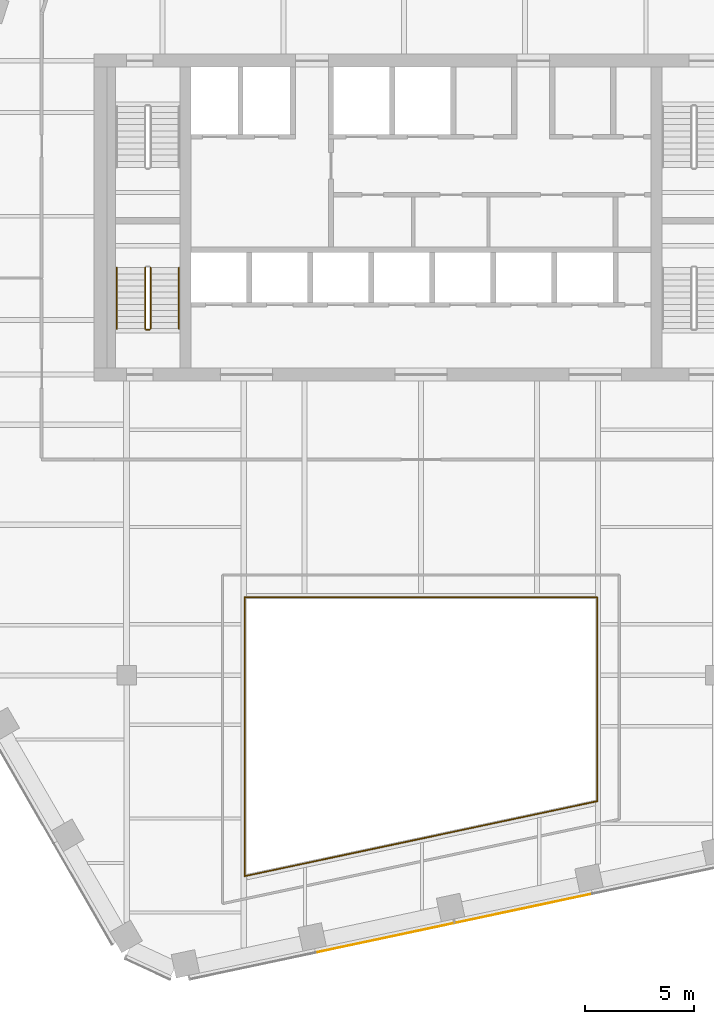
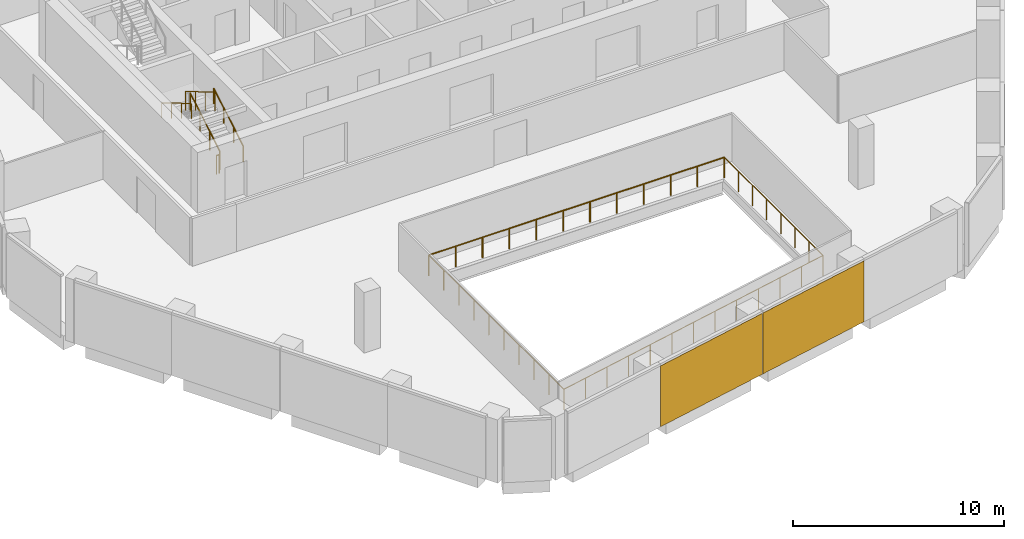
# One storey, part 12 of 15: 9 railings, 2 coverings, 1 element without a shape of its own.
"""IFC4 building model written with IfcOpenShell, lengths in metres."""

from ifc_helpers import new_model, si_unit, direction, frame, origin, origin_2d, place, context, subcontext, project, spatial, rectangle, circle, extrude, material, layer, layer_set, type_object, element, aggregate, save


model = new_model("IFC4")

# Units and contexts
model_context = context("Model", 3, precision=1e-05, world=origin(), true_north=direction((0.0, 1.0)))
body_context = subcontext(model_context, "Body", "Model", "MODEL_VIEW")
ifc_project = project(units=[si_unit("LENGTHUNIT", "METRE"), si_unit("AREAUNIT", "SQUARE_METRE"), si_unit("VOLUMEUNIT", "CUBIC_METRE"), si_unit("PLANEANGLEUNIT", "RADIAN"), si_unit("MASSUNIT", "GRAM", prefix="KILO")], contexts=[model_context])

# Site, building, storey
site_placement = place(None, origin())
site = spatial("IfcSite", under=ifc_project, at=site_placement, CompositionType="ELEMENT")
building_placement = place(site_placement, origin())
building = spatial("IfcBuilding", under=site, at=building_placement, Name="Isthmus Gate Tower", CompositionType="ELEMENT")
storey_placement = place(building_placement, frame((0.0, 0.0, 245.5)))
storey = spatial("IfcBuildingStorey", under=building, at=storey_placement, Name="L62", CompositionType="ELEMENT", Elevation=245.5)

# Railings
ifc_material_1 = material(Name="Laminated toughened glass balustrade with steel rail", Category="steel")
railing_type_1 = type_object("IfcRailingType", Name="ATRIUM GUARD GLASS BALUSTRADE 1200", PredefinedType="GUARDRAIL", material=ifc_material_1)
railing_1_placement = place(storey_placement, frame((-8.080078125, -22.7099609375, 0.0)))
element("IfcRailing", 1, at=railing_1_placement, inside=storey, type_object=railing_type_1, Name="L62 atrium guard", PredefinedType="GUARDRAIL", context=body_context, shape_type="SweptSolid", body=[
    extrude(circle(Radius=0.02490234375, at=origin_2d()), frame((0.0, 0.0, 1.1748046875), z_axis=(0.0, 1.0, 0.0), x_axis=(-1.0, 0.0, 0.0)), (0.0, 0.0, 1.0), 12.7900390625),
    extrude(circle(Radius=0.02490234375, at=origin_2d()), origin(), (0.0, 0.0, 1.0), 1.14990234375),
    extrude(circle(Radius=0.02490234375, at=origin_2d()), frame((0.0, 1.421142578125, 0.0)), (0.0, 0.0, 1.0), 1.14990234375),
    extrude(circle(Radius=0.02490234375, at=origin_2d()), frame((0.0, 2.84228515625, 0.0)), (0.0, 0.0, 1.0), 1.14990234375),
    extrude(circle(Radius=0.02490234375, at=origin_2d()), frame((0.0, 4.263427734375, 0.0)), (0.0, 0.0, 1.0), 1.14990234375),
    extrude(circle(Radius=0.02490234375, at=origin_2d()), frame((0.0, 5.6845703125, 0.0)), (0.0, 0.0, 1.0), 1.14990234375),
    extrude(circle(Radius=0.02490234375, at=origin_2d()), frame((0.0, 7.10546875, 0.0)), (0.0, 0.0, 1.0), 1.14990234375),
    extrude(circle(Radius=0.02490234375, at=origin_2d()), frame((0.0, 8.526611328125, 0.0)), (0.0, 0.0, 1.0), 1.14990234375),
    extrude(circle(Radius=0.02490234375, at=origin_2d()), frame((0.0, 9.94775390625, 0.0)), (0.0, 0.0, 1.0), 1.14990234375),
    extrude(circle(Radius=0.02490234375, at=origin_2d()), frame((0.0, 11.368896484375, 0.0)), (0.0, 0.0, 1.0), 1.14990234375),
    extrude(circle(Radius=0.02490234375, at=origin_2d()), frame((0.0, 12.7900390625, 0.0)), (0.0, 0.0, 1.0), 1.14990234375),
])
railing_2_placement = place(storey_placement, frame((-8.080078125, -9.919921875, 0.0)))
element("IfcRailing", 2, at=railing_2_placement, inside=storey, type_object=railing_type_1, Name="L62 atrium guard", PredefinedType="GUARDRAIL", context=body_context, shape_type="SweptSolid", body=[
    extrude(circle(Radius=0.02490234375, at=origin_2d()), frame((0.0, 0.0, 1.1748046875), z_axis=(1.0, 0.0, 0.0), x_axis=(0.0, 1.0, 0.0)), (0.0, 0.0, 1.0), 16.16015625),
    extrude(circle(Radius=0.02490234375, at=origin_2d()), origin(), (0.0, 0.0, 1.0), 1.14990234375),
    extrude(circle(Radius=0.02490234375, at=origin_2d()), frame((1.468994140625, 0.0, 0.0)), (0.0, 0.0, 1.0), 1.14990234375),
    extrude(circle(Radius=0.02490234375, at=origin_2d()), frame((2.938232421875, 0.0, 0.0)), (0.0, 0.0, 1.0), 1.14990234375),
    extrude(circle(Radius=0.02490234375, at=origin_2d()), frame((4.4072265625, 0.0, 0.0)), (0.0, 0.0, 1.0), 1.14990234375),
    extrude(circle(Radius=0.02490234375, at=origin_2d()), frame((5.87646484375, 0.0, 0.0)), (0.0, 0.0, 1.0), 1.14990234375),
    extrude(circle(Radius=0.02490234375, at=origin_2d()), frame((7.345458984375, 0.0, 0.0)), (0.0, 0.0, 1.0), 1.14990234375),
    extrude(circle(Radius=0.02490234375, at=origin_2d()), frame((8.814697265625, 0.0, 0.0)), (0.0, 0.0, 1.0), 1.14990234375),
    extrude(circle(Radius=0.02490234375, at=origin_2d()), frame((10.28369140625, 0.0, 0.0)), (0.0, 0.0, 1.0), 1.14990234375),
    extrude(circle(Radius=0.02490234375, at=origin_2d()), frame((11.7529296875, 0.0, 0.0)), (0.0, 0.0, 1.0), 1.14990234375),
    extrude(circle(Radius=0.02490234375, at=origin_2d()), frame((13.221923828125, 0.0, 0.0)), (0.0, 0.0, 1.0), 1.14990234375),
    extrude(circle(Radius=0.02490234375, at=origin_2d()), frame((14.691162109375, 0.0, 0.0)), (0.0, 0.0, 1.0), 1.14990234375),
    extrude(circle(Radius=0.02490234375, at=origin_2d()), frame((16.16015625, 0.0, 0.0)), (0.0, 0.0, 1.0), 1.14990234375),
])
railing_3_placement = place(storey_placement, frame((8.080078125, -9.919921875, 0.0)))
element("IfcRailing", 3, at=railing_3_placement, inside=storey, type_object=railing_type_1, Name="L62 atrium guard", PredefinedType="GUARDRAIL", context=body_context, shape_type="SweptSolid", body=[
    extrude(circle(Radius=0.02490234375, at=origin_2d()), frame((0.0, 0.0, 1.1748046875), z_axis=(0.0, -1.0, 0.0), x_axis=(1.0, 0.0, 0.0)), (0.0, 0.0, 1.0), 9.35498046875),
    extrude(circle(Radius=0.02490234375, at=origin_2d()), origin(), (0.0, 0.0, 1.0), 1.14990234375),
    extrude(circle(Radius=0.02490234375, at=origin_2d()), frame((0.0, -1.33642578125, 0.0)), (0.0, 0.0, 1.0), 1.14990234375),
    extrude(circle(Radius=0.02490234375, at=origin_2d()), frame((0.0, -2.6728515625, 0.0)), (0.0, 0.0, 1.0), 1.14990234375),
    extrude(circle(Radius=0.02490234375, at=origin_2d()), frame((0.0, -4.00927734375, 0.0)), (0.0, 0.0, 1.0), 1.14990234375),
    extrude(circle(Radius=0.02490234375, at=origin_2d()), frame((0.0, -5.345703125, 0.0)), (0.0, 0.0, 1.0), 1.14990234375),
    extrude(circle(Radius=0.02490234375, at=origin_2d()), frame((0.0, -6.68212890625, 0.0)), (0.0, 0.0, 1.0), 1.14990234375),
    extrude(circle(Radius=0.02490234375, at=origin_2d()), frame((0.0, -8.0185546875, 0.0)), (0.0, 0.0, 1.0), 1.14990234375),
    extrude(circle(Radius=0.02490234375, at=origin_2d()), frame((0.0, -9.35498046875, 0.0)), (0.0, 0.0, 1.0), 1.14990234375),
])
railing_4_placement = place(storey_placement, frame((8.080078125, -19.27490234375, 0.0)))
element("IfcRailing", 4, at=railing_4_placement, inside=storey, type_object=railing_type_1, Name="L62 atrium guard", PredefinedType="GUARDRAIL", context=body_context, shape_type="SweptSolid", body=[
    extrude(circle(Radius=0.02490234375, at=origin_2d()), frame((0.0, 0.0, 1.1748046875), z_axis=(-0.978146230105, -0.207918139013, 0.0), x_axis=(0.207918139013, -0.978146230105, 0.0)), (0.0, 0.0, 1.0), 16.521240234375),
    extrude(circle(Radius=0.02490234375, at=origin_2d()), origin(), (0.0, 0.0, 1.0), 1.14990234375),
    extrude(circle(Radius=0.02490234375, at=origin_2d()), frame((-1.3466796875, -0.2861328125, 0.0)), (0.0, 0.0, 1.0), 1.14990234375),
    extrude(circle(Radius=0.02490234375, at=origin_2d()), frame((-2.693359375, -0.572509765625, 0.0)), (0.0, 0.0, 1.0), 1.14990234375),
    extrude(circle(Radius=0.02490234375, at=origin_2d()), frame((-4.0400390625, -0.85888671875, 0.0)), (0.0, 0.0, 1.0), 1.14990234375),
    extrude(circle(Radius=0.02490234375, at=origin_2d()), frame((-5.38671875, -1.14501953125, 0.0)), (0.0, 0.0, 1.0), 1.14990234375),
    extrude(circle(Radius=0.02490234375, at=origin_2d()), frame((-6.7333984375, -1.43115234375, 0.0)), (0.0, 0.0, 1.0), 1.14990234375),
    extrude(circle(Radius=0.02490234375, at=origin_2d()), frame((-8.080078125, -1.717529296875, 0.0)), (0.0, 0.0, 1.0), 1.14990234375),
    extrude(circle(Radius=0.02490234375, at=origin_2d()), frame((-9.4267578125, -2.00390625, 0.0)), (0.0, 0.0, 1.0), 1.14990234375),
    extrude(circle(Radius=0.02490234375, at=origin_2d()), frame((-10.7734375, -2.2900390625, 0.0)), (0.0, 0.0, 1.0), 1.14990234375),
    extrude(circle(Radius=0.02490234375, at=origin_2d()), frame((-12.1201171875, -2.576171875, 0.0)), (0.0, 0.0, 1.0), 1.14990234375),
    extrude(circle(Radius=0.02490234375, at=origin_2d()), frame((-13.466796875, -2.862548828125, 0.0)), (0.0, 0.0, 1.0), 1.14990234375),
    extrude(circle(Radius=0.02490234375, at=origin_2d()), frame((-14.8134765625, -3.14892578125, 0.0)), (0.0, 0.0, 1.0), 1.14990234375),
    extrude(circle(Radius=0.02490234375, at=origin_2d()), frame((-16.16015625, -3.43505859375, 0.0)), (0.0, 0.0, 1.0), 1.14990234375),
])

# Curtain wall, coverings
ifc_material_2 = material(Name="Aluminium, pale champagne anodised", Category="aluminium")
ifc_layer_1 = layer(ifc_material_2, 0.199951171875)
ifc_layer_set_1 = layer_set([ifc_layer_1], Name="CW-1 UNITISED CURTAIN WALL 200 DEEP")
curtain_wall_type = type_object("IfcCurtainWallType", Name="CW-1 UNITISED CURTAIN WALL 200 DEEP", PredefinedType="NOTDEFINED", material=ifc_layer_set_1)
curtain_wall_placement = place(storey_placement, origin())
curtain_wall = element("IfcCurtainWall", 5, at=curtain_wall_placement, inside=storey, type_object=curtain_wall_type, Name="CW-1 S L62", PredefinedType="NOTDEFINED")
ifc_material_3 = material(Name="Aluminium composite panel, pale champagne anodised", Category="aluminium")
ifc_layer_2 = layer(ifc_material_3, 0.031982421875)
ifc_layer_set_2 = layer_set([ifc_layer_2], Name="CW-1 PALE METAL PANEL 32")
covering_type = type_object("IfcCoveringType", Name="CW-1 PALE METAL PANEL 32", PredefinedType="CLADDING", material=ifc_layer_set_2)
covering_1_placement = place(storey_placement, frame((-1.66259765625, -25.54150390625, 0.0), z_axis=(0.0, 0.0, 1.0), x_axis=(0.978147600734, 0.207911690818, 0.0)))
covering_1 = element("IfcCovering", 6, at=covering_1_placement, type_object=covering_type, Name="CW-1 pale metal panel", PredefinedType="CLADDING", context=body_context, shape_type="SweptSolid", body=[
    extrude(rectangle(XDim=6.491943359375, YDim=0.031982421875, at=origin_2d()), origin(), (0.0, 0.0, 1.0), 3.52001953125),
])
covering_2_placement = place(storey_placement, frame((4.716796875, -24.185546875, 0.0), z_axis=(0.0, 0.0, 1.0), x_axis=(0.978147600734, 0.207911690818, 0.0)))
covering_2 = element("IfcCovering", 7, at=covering_2_placement, type_object=covering_type, Name="CW-1 pale metal panel", PredefinedType="CLADDING", context=body_context, shape_type="SweptSolid", body=[
    extrude(rectangle(XDim=6.431884765625, YDim=0.031982421875, at=origin_2d()), origin(), (0.0, 0.0, 1.0), 3.52001953125),
])
aggregate(curtain_wall, [covering_1, covering_2])

# Railings
ifc_material_4 = material(Name="Stainless steel balustrade", Category="steel")
railing_type_2 = type_object("IfcRailingType", Name="STAIR GUARD 1100", PredefinedType="GUARDRAIL", material=ifc_material_4)
railing_5_placement = place(storey_placement, frame((-12.39990234375, 2.39990234375, 0.166015625)))
element("IfcRailing", 8, at=railing_5_placement, inside=storey, type_object=railing_type_2, Name="L62 ST7 stair guard 1", PredefinedType="GUARDRAIL", context=body_context, shape_type="SweptSolid", body=[
    extrude(circle(Radius=0.02392578125, at=origin_2d()), frame((0.0, 0.0, 1.076171875), z_axis=(0.0, 0.860339051648, 0.50972219513), x_axis=(-1.0, 0.0, 0.0)), (0.0, 0.0, 1.0), 3.254638671875),
    extrude(circle(Radius=0.02099609375, at=origin_2d()), origin(), (0.0, 0.0, 1.0), 1.052001953125),
    extrude(circle(Radius=0.02099609375, at=origin_2d()), frame((0.0, 0.933349609375, 0.552978515625)), (0.0, 0.0, 1.0), 1.052001953125),
    extrude(circle(Radius=0.02099609375, at=origin_2d()), frame((0.0, 1.86669921875, 1.10595703125)), (0.0, 0.0, 1.0), 1.052001953125),
    extrude(circle(Radius=0.02099609375, at=origin_2d()), frame((0.0, 2.800048828125, 1.658935546875)), (0.0, 0.0, 1.0), 1.052001953125),
])
railing_6_placement = place(storey_placement, frame((-12.64990234375, 5.199951171875, 1.990966796875)))
element("IfcRailing", 9, at=railing_6_placement, inside=storey, type_object=railing_type_2, Name="L62 ST7 stair guard 3", PredefinedType="GUARDRAIL", context=body_context, shape_type="SweptSolid", body=[
    extrude(circle(Radius=0.02392578125, at=origin_2d()), frame((0.0, 0.0, 1.076171875), z_axis=(0.0, -0.860339051648, 0.50972219513), x_axis=(1.0, 0.0, 0.0)), (0.0, 0.0, 1.0), 3.254638671875),
    extrude(circle(Radius=0.02099609375, at=origin_2d()), origin(), (0.0, 0.0, 1.0), 1.052001953125),
    extrude(circle(Radius=0.02099609375, at=origin_2d()), frame((0.0, -0.933349609375, 0.552978515625)), (0.0, 0.0, 1.0), 1.052001953125),
    extrude(circle(Radius=0.02099609375, at=origin_2d()), frame((0.0, -1.86669921875, 1.10595703125)), (0.0, 0.0, 1.0), 1.052001953125),
    extrude(circle(Radius=0.02099609375, at=origin_2d()), frame((0.0, -2.800048828125, 1.658935546875)), (0.0, 0.0, 1.0), 1.052001953125),
])
railing_7_placement = place(storey_placement, frame((-12.449951171875, 2.35009765625, 0.0)))
element("IfcRailing", 10, at=railing_7_placement, inside=storey, type_object=railing_type_2, Name="L62 ST7 stair guard 4", PredefinedType="GUARDRAIL", context=body_context, shape_type="SweptSolid", body=[
    extrude(circle(Radius=0.02392578125, at=origin_2d()), frame((0.0, 0.0, 1.076171875), z_axis=(-1.0, 0.0, 0.0), x_axis=(0.0, -1.0, 0.0)), (0.0, 0.0, 1.0), 0.150146484375),
    extrude(circle(Radius=0.02099609375, at=origin_2d()), origin(), (0.0, 0.0, 1.0), 1.052001953125),
    extrude(circle(Radius=0.02099609375, at=origin_2d()), frame((-0.150146484375, 0.0, 0.0)), (0.0, 0.0, 1.0), 1.052001953125),
])
ifc_material_5 = material(Name="Stainless steel handrail", Category="steel")
railing_type_3 = type_object("IfcRailingType", Name="STAIR HANDRAIL 900", PredefinedType="HANDRAIL", material=ifc_material_5)
railing_8_placement = place(storey_placement, frame((-11.10009765625, 2.39990234375, 0.166015625)))
element("IfcRailing", 11, at=railing_8_placement, inside=storey, type_object=railing_type_3, Name="L62 ST7 stair handrail 1", PredefinedType="HANDRAIL", context=body_context, shape_type="SweptSolid", body=[
    extrude(circle(Radius=0.02392578125, at=origin_2d()), frame((0.0, 0.0, 0.8759765625), z_axis=(0.0, 0.860339051648, 0.50972219513), x_axis=(-1.0, 0.0, 0.0)), (0.0, 0.0, 1.0), 3.254638671875),
    extrude(circle(Radius=0.02099609375, at=origin_2d()), origin(), (0.0, 0.0, 1.0), 0.851806640625),
    extrude(circle(Radius=0.02099609375, at=origin_2d()), frame((0.0, 0.933349609375, 0.552978515625)), (0.0, 0.0, 1.0), 0.851806640625),
    extrude(circle(Radius=0.02099609375, at=origin_2d()), frame((0.0, 1.86669921875, 1.10595703125)), (0.0, 0.0, 1.0), 0.851806640625),
    extrude(circle(Radius=0.02099609375, at=origin_2d()), frame((0.0, 2.800048828125, 1.658935546875)), (0.0, 0.0, 1.0), 0.851806640625),
])
railing_9_placement = place(storey_placement, frame((-13.949951171875, 5.199951171875, 1.990966796875)))
element("IfcRailing", 12, at=railing_9_placement, inside=storey, type_object=railing_type_3, Name="L62 ST7 stair handrail 2", PredefinedType="HANDRAIL", context=body_context, shape_type="SweptSolid", body=[
    extrude(circle(Radius=0.02392578125, at=origin_2d()), frame((0.0, 0.0, 0.8759765625), z_axis=(0.0, -0.860339051648, 0.50972219513), x_axis=(1.0, 0.0, 0.0)), (0.0, 0.0, 1.0), 3.254638671875),
    extrude(circle(Radius=0.02099609375, at=origin_2d()), origin(), (0.0, 0.0, 1.0), 0.851806640625),
    extrude(circle(Radius=0.02099609375, at=origin_2d()), frame((0.0, -0.933349609375, 0.552978515625)), (0.0, 0.0, 1.0), 0.851806640625),
    extrude(circle(Radius=0.02099609375, at=origin_2d()), frame((0.0, -1.86669921875, 1.10595703125)), (0.0, 0.0, 1.0), 0.851806640625),
    extrude(circle(Radius=0.02099609375, at=origin_2d()), frame((0.0, -2.800048828125, 1.658935546875)), (0.0, 0.0, 1.0), 0.851806640625),
])

save(model, "model.ifc")
